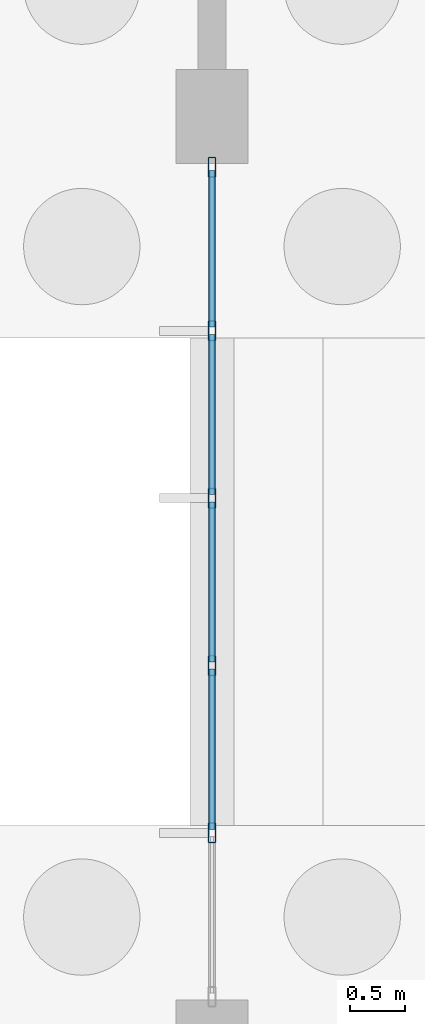
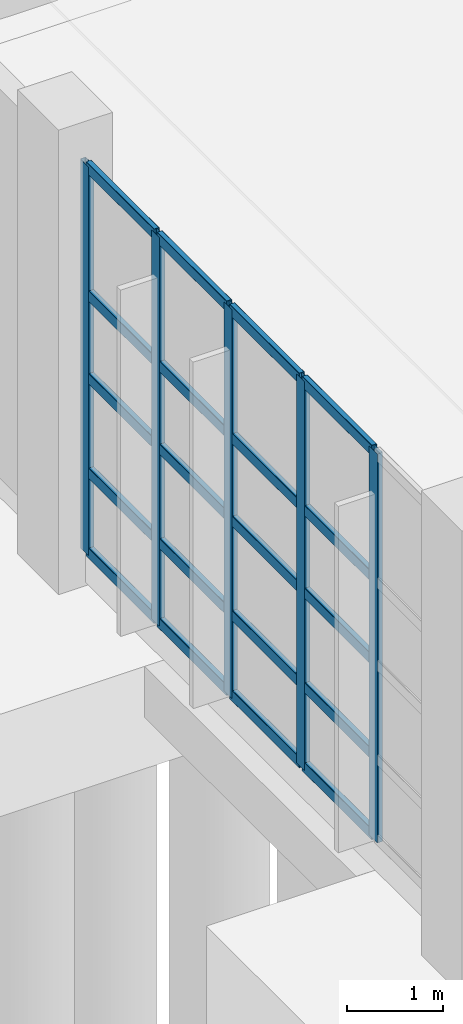
# One storey, part 16 of 83: 25 members, 1 element without a shape of its own.
"""IFC4 building model written with IfcOpenShell, lengths in metres."""

from ifc_helpers import new_model, si_unit, direction, frame, origin, origin_2d, place, context, subcontext, project, spatial, hollow_rectangle, extrude, material, layer, layer_set, material_profile, profile_set, type_object, element, aggregate, save


model = new_model("IFC4")

# Units and contexts
model_context = context("Model", 3, precision=1e-05, world=origin(), true_north=direction((0.0, 1.0)))
body_context = subcontext(model_context, "Body", "Model", "MODEL_VIEW")
ifc_project = project(units=[si_unit("LENGTHUNIT", "METRE"), si_unit("AREAUNIT", "SQUARE_METRE"), si_unit("VOLUMEUNIT", "CUBIC_METRE"), si_unit("PLANEANGLEUNIT", "RADIAN"), si_unit("MASSUNIT", "GRAM", prefix="KILO"), si_unit("THERMODYNAMICTEMPERATUREUNIT", "KELVIN"), si_unit("POWERUNIT", "WATT")], contexts=[model_context])

# Site, building, storey
site_placement = place(None, origin())
site = spatial("IfcSite", under=ifc_project, at=site_placement, CompositionType="ELEMENT")
building_placement = place(site_placement, origin())
building = spatial("IfcBuilding", under=site, at=building_placement, Name="Mavoryth Pier Ferry Terminal", CompositionType="ELEMENT")
storey_placement = place(building_placement, origin())
storey = spatial("IfcBuildingStorey", under=building, at=storey_placement, Name="L00", CompositionType="ELEMENT", Elevation=0.0)

# Curtain wall, members
ifc_material_1 = material(Name="Anodised Aluminium and Solar-Control Low-E Glass", Category="aluminium")
ifc_layer = layer(ifc_material_1, 0.179931640625, Name="Anodised Aluminium and Solar-Control Low-E Glass", Category="aluminium")
ifc_layer_set = layer_set([ifc_layer], Name="Anodised Aluminium and Solar-Control Low-E Glass - CW-Concourse-Mod1400")
curtain_wall_type = type_object("IfcCurtainWallType", Name="CW-Concourse-Mod1400", PredefinedType="USERDEFINED", material=ifc_layer_set)
curtain_wall_placement = place(storey_placement, origin())
curtain_wall = element("IfcCurtainWall", 1, at=curtain_wall_placement, inside=storey, type_object=curtain_wall_type, Name="Curtain Wall CW-0033-001", ObjectType="UNITISED CURTAIN WALL", PredefinedType="USERDEFINED")
ifc_material_2 = material(Name="Anodised Aluminium EN AW-6063", Category="aluminium")
ifc_material_profile_1 = material_profile(ifc_material_2, hollow_rectangle(XDim=0.06494140625, YDim=0.179931640625, WallThickness=0.00390625, InnerFilletRadius=0.00390625, OuterFilletRadius=0.008056640625, at=origin_2d()), Name="AL-MULL 180x65x4", Category="aluminium")
ifc_profile_set_1 = profile_set([ifc_material_profile_1], Name="Anodised Aluminium EN AW-6063 - AL-MULL 180x65x4")
member_type_1 = type_object("IfcMemberType", Name="Mullion-Alum-180x65", PredefinedType="MULLION", material=ifc_profile_set_1)
member_1_placement = place(storey_placement, frame((0.0, 29.9423828125, 0.0), z_axis=(0.0, 0.0, 1.0), x_axis=(1.0, 0.0, 0.0)))
member_1 = element("IfcMember", 2, at=member_1_placement, type_object=member_type_1, Name="CW01 mullion 1", PredefinedType="MULLION", context=body_context, shape_type="SweptSolid", body=[
    extrude(hollow_rectangle(XDim=0.06494140625, YDim=0.179931640625, WallThickness=0.00390625, InnerFilletRadius=0.00390625, OuterFilletRadius=0.008056640625, at=origin_2d()), origin(), (0.0, 0.0, 1.0), 4.93994140625),
])
member_2_placement = place(storey_placement, frame((0.0, 28.465087890625, 0.0), z_axis=(0.0, 0.0, 1.0), x_axis=(1.0, 0.0, 0.0)))
member_2 = element("IfcMember", 3, at=member_2_placement, type_object=member_type_1, Name="CW01 mullion 2", PredefinedType="MULLION", context=body_context, shape_type="SweptSolid", body=[
    extrude(hollow_rectangle(XDim=0.06494140625, YDim=0.179931640625, WallThickness=0.00390625, InnerFilletRadius=0.00390625, OuterFilletRadius=0.008056640625, at=origin_2d()), origin(), (0.0, 0.0, 1.0), 4.93994140625),
])
member_3_placement = place(storey_placement, frame((0.0, 26.955078125, 0.0), z_axis=(0.0, 0.0, 1.0), x_axis=(1.0, 0.0, 0.0)))
member_3 = element("IfcMember", 4, at=member_3_placement, type_object=member_type_1, Name="CW01 mullion 3", PredefinedType="MULLION", context=body_context, shape_type="SweptSolid", body=[
    extrude(hollow_rectangle(XDim=0.06494140625, YDim=0.179931640625, WallThickness=0.00390625, InnerFilletRadius=0.00390625, OuterFilletRadius=0.008056640625, at=origin_2d()), origin(), (0.0, 0.0, 1.0), 4.93994140625),
])
member_4_placement = place(storey_placement, frame((0.0, 25.445068359375, 0.0), z_axis=(0.0, 0.0, 1.0), x_axis=(1.0, 0.0, 0.0)))
member_4 = element("IfcMember", 5, at=member_4_placement, type_object=member_type_1, Name="CW01 mullion 4", PredefinedType="MULLION", context=body_context, shape_type="SweptSolid", body=[
    extrude(hollow_rectangle(XDim=0.06494140625, YDim=0.179931640625, WallThickness=0.00390625, InnerFilletRadius=0.00390625, OuterFilletRadius=0.008056640625, at=origin_2d()), origin(), (0.0, 0.0, 1.0), 4.93994140625),
])
member_5_placement = place(storey_placement, frame((0.0, 23.93505859375, 0.0), z_axis=(0.0, 0.0, 1.0), x_axis=(1.0, 0.0, 0.0)))
member_5 = element("IfcMember", 6, at=member_5_placement, type_object=member_type_1, Name="CW01 mullion 5", PredefinedType="MULLION", context=body_context, shape_type="SweptSolid", body=[
    extrude(hollow_rectangle(XDim=0.06494140625, YDim=0.179931640625, WallThickness=0.00390625, InnerFilletRadius=0.00390625, OuterFilletRadius=0.008056640625, at=origin_2d()), origin(), (0.0, 0.0, 1.0), 4.93994140625),
])
ifc_material_profile_2 = material_profile(ifc_material_2, hollow_rectangle(XDim=0.06494140625, YDim=0.139892578125, WallThickness=0.00390625, InnerFilletRadius=0.00390625, OuterFilletRadius=0.008056640625, at=origin_2d()), Name="AL-TRAN 140x65x4", Category="aluminium")
ifc_profile_set_2 = profile_set([ifc_material_profile_2], Name="Anodised Aluminium EN AW-6063 - AL-TRAN 140x65x4")
member_type_2 = type_object("IfcMemberType", Name="Transom-Alum-140x65", PredefinedType="USERDEFINED", material=ifc_profile_set_2)
member_6_placement = place(storey_placement, frame((0.0, 29.909912109375, 0.032470703125), z_axis=(0.0, -1.0, 0.0), x_axis=(1.0, 0.0, 0.0)))
member_6 = element("IfcMember", 7, at=member_6_placement, type_object=member_type_2, Name="CW01 transom 1.1", ObjectType="TRANSOM", PredefinedType="USERDEFINED", context=body_context, shape_type="SweptSolid", body=[
    extrude(hollow_rectangle(XDim=0.06494140625, YDim=0.139892578125, WallThickness=0.00390625, InnerFilletRadius=0.00390625, OuterFilletRadius=0.008056640625, at=origin_2d()), origin(), (0.0, 0.0, 1.0), 1.412353515625),
])
member_7_placement = place(storey_placement, frame((0.0, 29.909912109375, 1.050048828125), z_axis=(0.0, -1.0, 0.0), x_axis=(1.0, 0.0, 0.0)))
member_7 = element("IfcMember", 8, at=member_7_placement, type_object=member_type_2, Name="CW01 transom 1.2", ObjectType="TRANSOM", PredefinedType="USERDEFINED", context=body_context, shape_type="SweptSolid", body=[
    extrude(hollow_rectangle(XDim=0.06494140625, YDim=0.139892578125, WallThickness=0.00390625, InnerFilletRadius=0.00390625, OuterFilletRadius=0.008056640625, at=origin_2d()), origin(), (0.0, 0.0, 1.0), 1.412353515625),
])
member_8_placement = place(storey_placement, frame((0.0, 29.909912109375, 2.25), z_axis=(0.0, -1.0, 0.0), x_axis=(1.0, 0.0, 0.0)))
member_8 = element("IfcMember", 9, at=member_8_placement, type_object=member_type_2, Name="CW01 transom 1.3", ObjectType="TRANSOM", PredefinedType="USERDEFINED", context=body_context, shape_type="SweptSolid", body=[
    extrude(hollow_rectangle(XDim=0.06494140625, YDim=0.139892578125, WallThickness=0.00390625, InnerFilletRadius=0.00390625, OuterFilletRadius=0.008056640625, at=origin_2d()), origin(), (0.0, 0.0, 1.0), 1.412353515625),
])
member_9_placement = place(storey_placement, frame((0.0, 29.909912109375, 3.300048828125), z_axis=(0.0, -1.0, 0.0), x_axis=(1.0, 0.0, 0.0)))
member_9 = element("IfcMember", 10, at=member_9_placement, type_object=member_type_2, Name="CW01 transom 1.4", ObjectType="TRANSOM", PredefinedType="USERDEFINED", context=body_context, shape_type="SweptSolid", body=[
    extrude(hollow_rectangle(XDim=0.06494140625, YDim=0.139892578125, WallThickness=0.00390625, InnerFilletRadius=0.00390625, OuterFilletRadius=0.008056640625, at=origin_2d()), origin(), (0.0, 0.0, 1.0), 1.412353515625),
])
member_10_placement = place(storey_placement, frame((0.0, 29.909912109375, 4.907470703125), z_axis=(0.0, -1.0, 0.0), x_axis=(1.0, 0.0, 0.0)))
member_10 = element("IfcMember", 11, at=member_10_placement, type_object=member_type_2, Name="CW01 transom 1.5", ObjectType="TRANSOM", PredefinedType="USERDEFINED", context=body_context, shape_type="SweptSolid", body=[
    extrude(hollow_rectangle(XDim=0.06494140625, YDim=0.139892578125, WallThickness=0.00390625, InnerFilletRadius=0.00390625, OuterFilletRadius=0.008056640625, at=origin_2d()), origin(), (0.0, 0.0, 1.0), 1.412353515625),
])
member_11_placement = place(storey_placement, frame((0.0, 28.4326171875, 0.032470703125), z_axis=(0.0, -1.0, 0.0), x_axis=(1.0, 0.0, 0.0)))
member_11 = element("IfcMember", 12, at=member_11_placement, type_object=member_type_2, Name="CW01 transom 2.1", ObjectType="TRANSOM", PredefinedType="USERDEFINED", context=body_context, shape_type="SweptSolid", body=[
    extrude(hollow_rectangle(XDim=0.06494140625, YDim=0.139892578125, WallThickness=0.00390625, InnerFilletRadius=0.00390625, OuterFilletRadius=0.008056640625, at=origin_2d()), origin(), (0.0, 0.0, 1.0), 1.445068359375),
])
member_12_placement = place(storey_placement, frame((0.0, 28.4326171875, 1.050048828125), z_axis=(0.0, -1.0, 0.0), x_axis=(1.0, 0.0, 0.0)))
member_12 = element("IfcMember", 13, at=member_12_placement, type_object=member_type_2, Name="CW01 transom 2.2", ObjectType="TRANSOM", PredefinedType="USERDEFINED", context=body_context, shape_type="SweptSolid", body=[
    extrude(hollow_rectangle(XDim=0.06494140625, YDim=0.139892578125, WallThickness=0.00390625, InnerFilletRadius=0.00390625, OuterFilletRadius=0.008056640625, at=origin_2d()), origin(), (0.0, 0.0, 1.0), 1.445068359375),
])
member_13_placement = place(storey_placement, frame((0.0, 28.4326171875, 2.25), z_axis=(0.0, -1.0, 0.0), x_axis=(1.0, 0.0, 0.0)))
member_13 = element("IfcMember", 14, at=member_13_placement, type_object=member_type_2, Name="CW01 transom 2.3", ObjectType="TRANSOM", PredefinedType="USERDEFINED", context=body_context, shape_type="SweptSolid", body=[
    extrude(hollow_rectangle(XDim=0.06494140625, YDim=0.139892578125, WallThickness=0.00390625, InnerFilletRadius=0.00390625, OuterFilletRadius=0.008056640625, at=origin_2d()), origin(), (0.0, 0.0, 1.0), 1.445068359375),
])
member_14_placement = place(storey_placement, frame((0.0, 28.4326171875, 3.300048828125), z_axis=(0.0, -1.0, 0.0), x_axis=(1.0, 0.0, 0.0)))
member_14 = element("IfcMember", 15, at=member_14_placement, type_object=member_type_2, Name="CW01 transom 2.4", ObjectType="TRANSOM", PredefinedType="USERDEFINED", context=body_context, shape_type="SweptSolid", body=[
    extrude(hollow_rectangle(XDim=0.06494140625, YDim=0.139892578125, WallThickness=0.00390625, InnerFilletRadius=0.00390625, OuterFilletRadius=0.008056640625, at=origin_2d()), origin(), (0.0, 0.0, 1.0), 1.445068359375),
])
member_15_placement = place(storey_placement, frame((0.0, 28.4326171875, 4.907470703125), z_axis=(0.0, -1.0, 0.0), x_axis=(1.0, 0.0, 0.0)))
member_15 = element("IfcMember", 16, at=member_15_placement, type_object=member_type_2, Name="CW01 transom 2.5", ObjectType="TRANSOM", PredefinedType="USERDEFINED", context=body_context, shape_type="SweptSolid", body=[
    extrude(hollow_rectangle(XDim=0.06494140625, YDim=0.139892578125, WallThickness=0.00390625, InnerFilletRadius=0.00390625, OuterFilletRadius=0.008056640625, at=origin_2d()), origin(), (0.0, 0.0, 1.0), 1.445068359375),
])
member_16_placement = place(storey_placement, frame((0.0, 26.922607421875, 0.032470703125), z_axis=(0.0, -1.0, 0.0), x_axis=(1.0, 0.0, 0.0)))
member_16 = element("IfcMember", 17, at=member_16_placement, type_object=member_type_2, Name="CW01 transom 3.1", ObjectType="TRANSOM", PredefinedType="USERDEFINED", context=body_context, shape_type="SweptSolid", body=[
    extrude(hollow_rectangle(XDim=0.06494140625, YDim=0.139892578125, WallThickness=0.00390625, InnerFilletRadius=0.00390625, OuterFilletRadius=0.008056640625, at=origin_2d()), origin(), (0.0, 0.0, 1.0), 1.445068359375),
])
member_17_placement = place(storey_placement, frame((0.0, 26.922607421875, 1.050048828125), z_axis=(0.0, -1.0, 0.0), x_axis=(1.0, 0.0, 0.0)))
member_17 = element("IfcMember", 18, at=member_17_placement, type_object=member_type_2, Name="CW01 transom 3.2", ObjectType="TRANSOM", PredefinedType="USERDEFINED", context=body_context, shape_type="SweptSolid", body=[
    extrude(hollow_rectangle(XDim=0.06494140625, YDim=0.139892578125, WallThickness=0.00390625, InnerFilletRadius=0.00390625, OuterFilletRadius=0.008056640625, at=origin_2d()), origin(), (0.0, 0.0, 1.0), 1.445068359375),
])
member_18_placement = place(storey_placement, frame((0.0, 26.922607421875, 2.25), z_axis=(0.0, -1.0, 0.0), x_axis=(1.0, 0.0, 0.0)))
member_18 = element("IfcMember", 19, at=member_18_placement, type_object=member_type_2, Name="CW01 transom 3.3", ObjectType="TRANSOM", PredefinedType="USERDEFINED", context=body_context, shape_type="SweptSolid", body=[
    extrude(hollow_rectangle(XDim=0.06494140625, YDim=0.139892578125, WallThickness=0.00390625, InnerFilletRadius=0.00390625, OuterFilletRadius=0.008056640625, at=origin_2d()), origin(), (0.0, 0.0, 1.0), 1.445068359375),
])
member_19_placement = place(storey_placement, frame((0.0, 26.922607421875, 3.300048828125), z_axis=(0.0, -1.0, 0.0), x_axis=(1.0, 0.0, 0.0)))
member_19 = element("IfcMember", 20, at=member_19_placement, type_object=member_type_2, Name="CW01 transom 3.4", ObjectType="TRANSOM", PredefinedType="USERDEFINED", context=body_context, shape_type="SweptSolid", body=[
    extrude(hollow_rectangle(XDim=0.06494140625, YDim=0.139892578125, WallThickness=0.00390625, InnerFilletRadius=0.00390625, OuterFilletRadius=0.008056640625, at=origin_2d()), origin(), (0.0, 0.0, 1.0), 1.445068359375),
])
member_20_placement = place(storey_placement, frame((0.0, 26.922607421875, 4.907470703125), z_axis=(0.0, -1.0, 0.0), x_axis=(1.0, 0.0, 0.0)))
member_20 = element("IfcMember", 21, at=member_20_placement, type_object=member_type_2, Name="CW01 transom 3.5", ObjectType="TRANSOM", PredefinedType="USERDEFINED", context=body_context, shape_type="SweptSolid", body=[
    extrude(hollow_rectangle(XDim=0.06494140625, YDim=0.139892578125, WallThickness=0.00390625, InnerFilletRadius=0.00390625, OuterFilletRadius=0.008056640625, at=origin_2d()), origin(), (0.0, 0.0, 1.0), 1.445068359375),
])
member_21_placement = place(storey_placement, frame((0.0, 25.41259765625, 0.032470703125), z_axis=(0.0, -1.0, 0.0), x_axis=(1.0, 0.0, 0.0)))
member_21 = element("IfcMember", 22, at=member_21_placement, type_object=member_type_2, Name="CW01 transom 4.1", ObjectType="TRANSOM", PredefinedType="USERDEFINED", context=body_context, shape_type="SweptSolid", body=[
    extrude(hollow_rectangle(XDim=0.06494140625, YDim=0.139892578125, WallThickness=0.00390625, InnerFilletRadius=0.00390625, OuterFilletRadius=0.008056640625, at=origin_2d()), origin(), (0.0, 0.0, 1.0), 1.445068359375),
])
member_22_placement = place(storey_placement, frame((0.0, 25.41259765625, 1.050048828125), z_axis=(0.0, -1.0, 0.0), x_axis=(1.0, 0.0, 0.0)))
member_22 = element("IfcMember", 23, at=member_22_placement, type_object=member_type_2, Name="CW01 transom 4.2", ObjectType="TRANSOM", PredefinedType="USERDEFINED", context=body_context, shape_type="SweptSolid", body=[
    extrude(hollow_rectangle(XDim=0.06494140625, YDim=0.139892578125, WallThickness=0.00390625, InnerFilletRadius=0.00390625, OuterFilletRadius=0.008056640625, at=origin_2d()), origin(), (0.0, 0.0, 1.0), 1.445068359375),
])
member_23_placement = place(storey_placement, frame((0.0, 25.41259765625, 2.25), z_axis=(0.0, -1.0, 0.0), x_axis=(1.0, 0.0, 0.0)))
member_23 = element("IfcMember", 24, at=member_23_placement, type_object=member_type_2, Name="CW01 transom 4.3", ObjectType="TRANSOM", PredefinedType="USERDEFINED", context=body_context, shape_type="SweptSolid", body=[
    extrude(hollow_rectangle(XDim=0.06494140625, YDim=0.139892578125, WallThickness=0.00390625, InnerFilletRadius=0.00390625, OuterFilletRadius=0.008056640625, at=origin_2d()), origin(), (0.0, 0.0, 1.0), 1.445068359375),
])
member_24_placement = place(storey_placement, frame((0.0, 25.41259765625, 3.300048828125), z_axis=(0.0, -1.0, 0.0), x_axis=(1.0, 0.0, 0.0)))
member_24 = element("IfcMember", 25, at=member_24_placement, type_object=member_type_2, Name="CW01 transom 4.4", ObjectType="TRANSOM", PredefinedType="USERDEFINED", context=body_context, shape_type="SweptSolid", body=[
    extrude(hollow_rectangle(XDim=0.06494140625, YDim=0.139892578125, WallThickness=0.00390625, InnerFilletRadius=0.00390625, OuterFilletRadius=0.008056640625, at=origin_2d()), origin(), (0.0, 0.0, 1.0), 1.445068359375),
])
member_25_placement = place(storey_placement, frame((0.0, 25.41259765625, 4.907470703125), z_axis=(0.0, -1.0, 0.0), x_axis=(1.0, 0.0, 0.0)))
member_25 = element("IfcMember", 26, at=member_25_placement, type_object=member_type_2, Name="CW01 transom 4.5", ObjectType="TRANSOM", PredefinedType="USERDEFINED", context=body_context, shape_type="SweptSolid", body=[
    extrude(hollow_rectangle(XDim=0.06494140625, YDim=0.139892578125, WallThickness=0.00390625, InnerFilletRadius=0.00390625, OuterFilletRadius=0.008056640625, at=origin_2d()), origin(), (0.0, 0.0, 1.0), 1.445068359375),
])
aggregate(curtain_wall, [member_1, member_2, member_3, member_4, member_5, member_6, member_7, member_8, member_9, member_10, member_11, member_12, member_13, member_14, member_15, member_16, member_17, member_18, member_19, member_20, member_21, member_22, member_23, member_24, member_25])

save(model, "model.ifc")
